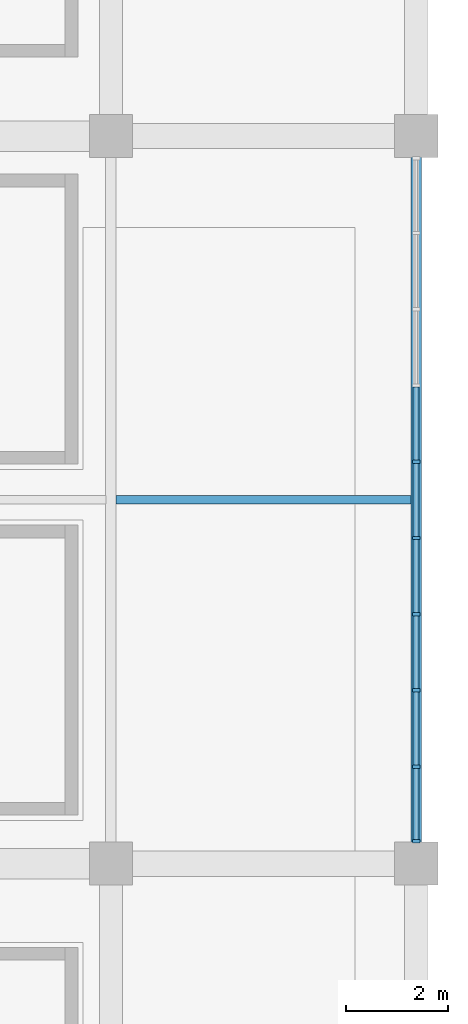
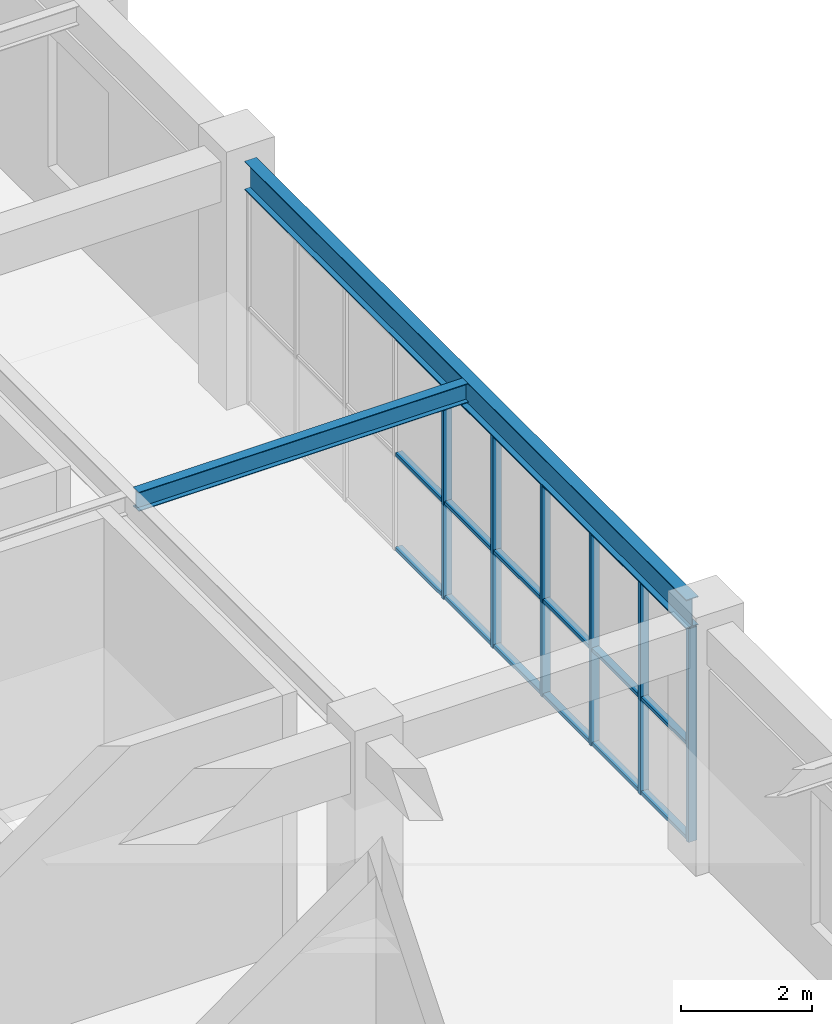
# One storey, part 52 of 112: 24 members, 2 beams, 1 element without a shape of its own.
"""IFC4 building model written with IfcOpenShell, lengths in metres."""

from ifc_helpers import new_model, si_unit, direction, frame, origin, origin_2d, place, context, subcontext, project, spatial, rectangle, i_section, extrude, material, material_profile, profile_set, type_object, element, aggregate, save


model = new_model("IFC4")

# Units and contexts
model_context = context("Model", 3, precision=1e-05, world=origin(), true_north=direction((0.0, 1.0)))
body_context = subcontext(model_context, "Body", "Model", "MODEL_VIEW")
ifc_project = project(units=[si_unit("LENGTHUNIT", "METRE"), si_unit("AREAUNIT", "SQUARE_METRE"), si_unit("VOLUMEUNIT", "CUBIC_METRE"), si_unit("PLANEANGLEUNIT", "RADIAN"), si_unit("MASSUNIT", "GRAM", prefix="KILO")], contexts=[model_context])

# Site, building, storey
site_placement = place(None, origin())
site = spatial("IfcSite", under=ifc_project, at=site_placement, CompositionType="ELEMENT")
building_placement = place(site_placement, origin())
building = spatial("IfcBuilding", under=site, at=building_placement, Name="Cuetzalor Civic Arena", CompositionType="ELEMENT")
storey_placement = place(building_placement, frame((0.0, 0.0, 11.39990234375)))
storey = spatial("IfcBuildingStorey", under=building, at=storey_placement, Name="L02", CompositionType="ELEMENT", Elevation=11.39990234375)

# Curtain wall, members
ifc_material_1 = material(Name="Anodised dark bronze aluminium and low-E solar glass", Category="aluminium")
curtain_wall_type = type_object("IfcCurtainWallType", Name="UnitisedCW_13500x4000", PredefinedType="USERDEFINED", material=ifc_material_1)
curtain_wall_placement = place(storey_placement, origin())
curtain_wall = element("IfcCurtainWall", 1, at=curtain_wall_placement, inside=storey, type_object=curtain_wall_type, Name="V4E Suite Viewing Curtain Wall L02-140", ObjectType="UNITISED CURTAIN WALL", PredefinedType="USERDEFINED")
ifc_material_2 = material(Name="Anodised dark bronze aluminium", Category="aluminium")
ifc_material_profile_1 = material_profile(ifc_material_2, rectangle(XDim=0.06494140625, YDim=0.14990234375, at=origin_2d()), Name="ALU MULLION 65x150")
ifc_profile_set_1 = profile_set([ifc_material_profile_1], Name="Anodised dark bronze aluminium")
member_type_1 = type_object("IfcMemberType", Name="CurtainWallMullion_60x150", PredefinedType="MULLION", material=ifc_profile_set_1)
member_1_placement = place(storey_placement, frame((82.0, -40.40087890625, 0.0), z_axis=(0.0, 0.0, 1.0), x_axis=(0.0, -1.0, 0.0)))
member_1 = element("IfcMember", 2, at=member_1_placement, type_object=member_type_1, Name="CW-40 mullion 5", PredefinedType="MULLION", context=body_context, shape_type="SweptSolid", body=[
    extrude(rectangle(XDim=0.06494140625, YDim=0.14990234375, at=origin_2d()), origin(), (0.0, 0.0, 1.0), 3.97705078125),
])
member_2_placement = place(storey_placement, frame((82.0, -41.899169921875, 0.0), z_axis=(0.0, 0.0, 1.0), x_axis=(0.0, -1.0, 0.0)))
member_2 = element("IfcMember", 3, at=member_2_placement, type_object=member_type_1, Name="CW-40 mullion 6", PredefinedType="MULLION", context=body_context, shape_type="SweptSolid", body=[
    extrude(rectangle(XDim=0.06494140625, YDim=0.14990234375, at=origin_2d()), origin(), (0.0, 0.0, 1.0), 3.97705078125),
])
member_3_placement = place(storey_placement, frame((82.0, -43.397705078125, 0.0), z_axis=(0.0, 0.0, 1.0), x_axis=(0.0, -1.0, 0.0)))
member_3 = element("IfcMember", 4, at=member_3_placement, type_object=member_type_1, Name="CW-40 mullion 7", PredefinedType="MULLION", context=body_context, shape_type="SweptSolid", body=[
    extrude(rectangle(XDim=0.06494140625, YDim=0.14990234375, at=origin_2d()), origin(), (0.0, 0.0, 1.0), 3.97705078125),
])
member_4_placement = place(storey_placement, frame((82.0, -44.89599609375, 0.0), z_axis=(0.0, 0.0, 1.0), x_axis=(0.0, -1.0, 0.0)))
member_4 = element("IfcMember", 5, at=member_4_placement, type_object=member_type_1, Name="CW-40 mullion 8", PredefinedType="MULLION", context=body_context, shape_type="SweptSolid", body=[
    extrude(rectangle(XDim=0.06494140625, YDim=0.14990234375, at=origin_2d()), origin(), (0.0, 0.0, 1.0), 3.97705078125),
])
member_5_placement = place(storey_placement, frame((82.0, -46.39453125, 0.0), z_axis=(0.0, 0.0, 1.0), x_axis=(0.0, -1.0, 0.0)))
member_5 = element("IfcMember", 6, at=member_5_placement, type_object=member_type_1, Name="CW-40 mullion 9", PredefinedType="MULLION", context=body_context, shape_type="SweptSolid", body=[
    extrude(rectangle(XDim=0.06494140625, YDim=0.14990234375, at=origin_2d()), origin(), (0.0, 0.0, 1.0), 3.97705078125),
])
member_6_placement = place(storey_placement, frame((82.0, -47.860595703125, 0.0), z_axis=(0.0, 0.0, 1.0), x_axis=(0.0, -1.0, 0.0)))
member_6 = element("IfcMember", 7, at=member_6_placement, type_object=member_type_1, Name="CW-40 mullion 10", PredefinedType="MULLION", context=body_context, shape_type="SweptSolid", body=[
    extrude(rectangle(XDim=0.06494140625, YDim=0.14990234375, at=origin_2d()), origin(), (0.0, 0.0, 1.0), 3.97705078125),
])
ifc_material_3 = material(Name="Anodised dark bronze aluminium", Category="aluminium")
ifc_material_profile_2 = material_profile(ifc_material_3, rectangle(XDim=0.1201171875, YDim=0.06494140625, at=origin_2d()), Name="ALU TRANSOM 65x120")
ifc_profile_set_2 = profile_set([ifc_material_profile_2], Name="Anodised dark bronze aluminium")
member_type_2 = type_object("IfcMemberType", Name="CurtainWallTransom_60x120", PredefinedType="USERDEFINED", material=ifc_profile_set_2)
member_7_placement = place(storey_placement, frame((82.0, -38.934814453125, 0.03271484375), z_axis=(0.0, -1.0, 0.0), x_axis=(1.0, 0.0, 0.0)))
member_7 = element("IfcMember", 8, at=member_7_placement, type_object=member_type_2, Name="CW-40 transom 4.1", ObjectType="TRANSOM", PredefinedType="USERDEFINED", context=body_context, shape_type="SweptSolid", body=[
    extrude(rectangle(XDim=0.1201171875, YDim=0.06494140625, at=origin_2d()), origin(), (0.0, 0.0, 1.0), 1.433349609375),
])
member_8_placement = place(storey_placement, frame((82.0, -38.934814453125, 1.7900390625), z_axis=(0.0, -1.0, 0.0), x_axis=(1.0, 0.0, 0.0)))
member_8 = element("IfcMember", 9, at=member_8_placement, type_object=member_type_2, Name="CW-40 transom 4.2", ObjectType="TRANSOM", PredefinedType="USERDEFINED", context=body_context, shape_type="SweptSolid", body=[
    extrude(rectangle(XDim=0.1201171875, YDim=0.06494140625, at=origin_2d()), origin(), (0.0, 0.0, 1.0), 1.433349609375),
])
member_9_placement = place(storey_placement, frame((82.0, -38.934814453125, 3.944580078125), z_axis=(0.0, -1.0, 0.0), x_axis=(1.0, 0.0, 0.0)))
member_9 = element("IfcMember", 10, at=member_9_placement, type_object=member_type_2, Name="CW-40 transom 4.3", ObjectType="TRANSOM", PredefinedType="USERDEFINED", context=body_context, shape_type="SweptSolid", body=[
    extrude(rectangle(XDim=0.1201171875, YDim=0.06494140625, at=origin_2d()), origin(), (0.0, 0.0, 1.0), 1.433349609375),
])
member_10_placement = place(storey_placement, frame((82.0, -40.433349609375, 0.03271484375), z_axis=(0.0, -1.0, 0.0), x_axis=(1.0, 0.0, 0.0)))
member_10 = element("IfcMember", 11, at=member_10_placement, type_object=member_type_2, Name="CW-40 transom 5.1", ObjectType="TRANSOM", PredefinedType="USERDEFINED", context=body_context, shape_type="SweptSolid", body=[
    extrude(rectangle(XDim=0.1201171875, YDim=0.06494140625, at=origin_2d()), origin(), (0.0, 0.0, 1.0), 1.433349609375),
])
member_11_placement = place(storey_placement, frame((82.0, -40.433349609375, 1.7900390625), z_axis=(0.0, -1.0, 0.0), x_axis=(1.0, 0.0, 0.0)))
member_11 = element("IfcMember", 12, at=member_11_placement, type_object=member_type_2, Name="CW-40 transom 5.2", ObjectType="TRANSOM", PredefinedType="USERDEFINED", context=body_context, shape_type="SweptSolid", body=[
    extrude(rectangle(XDim=0.1201171875, YDim=0.06494140625, at=origin_2d()), origin(), (0.0, 0.0, 1.0), 1.433349609375),
])
member_12_placement = place(storey_placement, frame((82.0, -40.433349609375, 3.944580078125), z_axis=(0.0, -1.0, 0.0), x_axis=(1.0, 0.0, 0.0)))
member_12 = element("IfcMember", 13, at=member_12_placement, type_object=member_type_2, Name="CW-40 transom 5.3", ObjectType="TRANSOM", PredefinedType="USERDEFINED", context=body_context, shape_type="SweptSolid", body=[
    extrude(rectangle(XDim=0.1201171875, YDim=0.06494140625, at=origin_2d()), origin(), (0.0, 0.0, 1.0), 1.433349609375),
])
member_13_placement = place(storey_placement, frame((82.0, -41.931640625, 0.03271484375), z_axis=(0.0, -1.0, 0.0), x_axis=(1.0, 0.0, 0.0)))
member_13 = element("IfcMember", 14, at=member_13_placement, type_object=member_type_2, Name="CW-40 transom 6.1", ObjectType="TRANSOM", PredefinedType="USERDEFINED", context=body_context, shape_type="SweptSolid", body=[
    extrude(rectangle(XDim=0.1201171875, YDim=0.06494140625, at=origin_2d()), origin(), (0.0, 0.0, 1.0), 1.43359375),
])
member_14_placement = place(storey_placement, frame((82.0, -41.931640625, 1.7900390625), z_axis=(0.0, -1.0, 0.0), x_axis=(1.0, 0.0, 0.0)))
member_14 = element("IfcMember", 15, at=member_14_placement, type_object=member_type_2, Name="CW-40 transom 6.2", ObjectType="TRANSOM", PredefinedType="USERDEFINED", context=body_context, shape_type="SweptSolid", body=[
    extrude(rectangle(XDim=0.1201171875, YDim=0.06494140625, at=origin_2d()), origin(), (0.0, 0.0, 1.0), 1.43359375),
])
member_15_placement = place(storey_placement, frame((82.0, -41.931640625, 3.944580078125), z_axis=(0.0, -1.0, 0.0), x_axis=(1.0, 0.0, 0.0)))
member_15 = element("IfcMember", 16, at=member_15_placement, type_object=member_type_2, Name="CW-40 transom 6.3", ObjectType="TRANSOM", PredefinedType="USERDEFINED", context=body_context, shape_type="SweptSolid", body=[
    extrude(rectangle(XDim=0.1201171875, YDim=0.06494140625, at=origin_2d()), origin(), (0.0, 0.0, 1.0), 1.43359375),
])
member_16_placement = place(storey_placement, frame((82.0, -43.43017578125, 0.03271484375), z_axis=(0.0, -1.0, 0.0), x_axis=(1.0, 0.0, 0.0)))
member_16 = element("IfcMember", 17, at=member_16_placement, type_object=member_type_2, Name="CW-40 transom 7.1", ObjectType="TRANSOM", PredefinedType="USERDEFINED", context=body_context, shape_type="SweptSolid", body=[
    extrude(rectangle(XDim=0.1201171875, YDim=0.06494140625, at=origin_2d()), origin(), (0.0, 0.0, 1.0), 1.433349609375),
])
member_17_placement = place(storey_placement, frame((82.0, -43.43017578125, 1.7900390625), z_axis=(0.0, -1.0, 0.0), x_axis=(1.0, 0.0, 0.0)))
member_17 = element("IfcMember", 18, at=member_17_placement, type_object=member_type_2, Name="CW-40 transom 7.2", ObjectType="TRANSOM", PredefinedType="USERDEFINED", context=body_context, shape_type="SweptSolid", body=[
    extrude(rectangle(XDim=0.1201171875, YDim=0.06494140625, at=origin_2d()), origin(), (0.0, 0.0, 1.0), 1.433349609375),
])
member_18_placement = place(storey_placement, frame((82.0, -43.43017578125, 3.944580078125), z_axis=(0.0, -1.0, 0.0), x_axis=(1.0, 0.0, 0.0)))
member_18 = element("IfcMember", 19, at=member_18_placement, type_object=member_type_2, Name="CW-40 transom 7.3", ObjectType="TRANSOM", PredefinedType="USERDEFINED", context=body_context, shape_type="SweptSolid", body=[
    extrude(rectangle(XDim=0.1201171875, YDim=0.06494140625, at=origin_2d()), origin(), (0.0, 0.0, 1.0), 1.433349609375),
])
member_19_placement = place(storey_placement, frame((82.0, -44.9287109375, 0.03271484375), z_axis=(0.0, -1.0, 0.0), x_axis=(1.0, 0.0, 0.0)))
member_19 = element("IfcMember", 20, at=member_19_placement, type_object=member_type_2, Name="CW-40 transom 8.1", ObjectType="TRANSOM", PredefinedType="USERDEFINED", context=body_context, shape_type="SweptSolid", body=[
    extrude(rectangle(XDim=0.1201171875, YDim=0.06494140625, at=origin_2d()), origin(), (0.0, 0.0, 1.0), 1.433349609375),
])
member_20_placement = place(storey_placement, frame((82.0, -44.9287109375, 1.7900390625), z_axis=(0.0, -1.0, 0.0), x_axis=(1.0, 0.0, 0.0)))
member_20 = element("IfcMember", 21, at=member_20_placement, type_object=member_type_2, Name="CW-40 transom 8.2", ObjectType="TRANSOM", PredefinedType="USERDEFINED", context=body_context, shape_type="SweptSolid", body=[
    extrude(rectangle(XDim=0.1201171875, YDim=0.06494140625, at=origin_2d()), origin(), (0.0, 0.0, 1.0), 1.433349609375),
])
member_21_placement = place(storey_placement, frame((82.0, -44.9287109375, 3.944580078125), z_axis=(0.0, -1.0, 0.0), x_axis=(1.0, 0.0, 0.0)))
member_21 = element("IfcMember", 22, at=member_21_placement, type_object=member_type_2, Name="CW-40 transom 8.3", ObjectType="TRANSOM", PredefinedType="USERDEFINED", context=body_context, shape_type="SweptSolid", body=[
    extrude(rectangle(XDim=0.1201171875, YDim=0.06494140625, at=origin_2d()), origin(), (0.0, 0.0, 1.0), 1.433349609375),
])
member_22_placement = place(storey_placement, frame((82.0, -46.427001953125, 0.03271484375), z_axis=(0.0, -1.0, 0.0), x_axis=(1.0, 0.0, 0.0)))
member_22 = element("IfcMember", 23, at=member_22_placement, type_object=member_type_2, Name="CW-40 transom 9.1", ObjectType="TRANSOM", PredefinedType="USERDEFINED", context=body_context, shape_type="SweptSolid", body=[
    extrude(rectangle(XDim=0.1201171875, YDim=0.06494140625, at=origin_2d()), origin(), (0.0, 0.0, 1.0), 1.40087890625),
])
member_23_placement = place(storey_placement, frame((82.0, -46.427001953125, 1.7900390625), z_axis=(0.0, -1.0, 0.0), x_axis=(1.0, 0.0, 0.0)))
member_23 = element("IfcMember", 24, at=member_23_placement, type_object=member_type_2, Name="CW-40 transom 9.2", ObjectType="TRANSOM", PredefinedType="USERDEFINED", context=body_context, shape_type="SweptSolid", body=[
    extrude(rectangle(XDim=0.1201171875, YDim=0.06494140625, at=origin_2d()), origin(), (0.0, 0.0, 1.0), 1.40087890625),
])
member_24_placement = place(storey_placement, frame((82.0, -46.427001953125, 3.944580078125), z_axis=(0.0, -1.0, 0.0), x_axis=(1.0, 0.0, 0.0)))
member_24 = element("IfcMember", 25, at=member_24_placement, type_object=member_type_2, Name="CW-40 transom 9.3", ObjectType="TRANSOM", PredefinedType="USERDEFINED", context=body_context, shape_type="SweptSolid", body=[
    extrude(rectangle(XDim=0.1201171875, YDim=0.06494140625, at=origin_2d()), origin(), (0.0, 0.0, 1.0), 1.40087890625),
])
aggregate(curtain_wall, [member_1, member_2, member_3, member_4, member_5, member_6, member_7, member_8, member_9, member_10, member_11, member_12, member_13, member_14, member_15, member_16, member_17, member_18, member_19, member_20, member_21, member_22, member_23, member_24])

# Beams
ifc_material_4 = material(Name="Steel S355", Category="steel")
ifc_material_profile_3 = material_profile(ifc_material_4, i_section(OverallWidth=0.1708984375, OverallDepth=0.35498046875, WebThickness=0.007080078125, FlangeThickness=0.01171875, at=origin_2d()), Name="W360x51")
ifc_profile_set_3 = profile_set([ifc_material_profile_3], Name="Steel S355")
beam_type_1 = type_object("IfcBeamType", Name="SecondaryFloorJoist_W360", PredefinedType="JOIST", material=ifc_profile_set_3)
beam_1_placement = place(storey_placement, frame((76.096435546875, -41.14990234375, 4.342529296875), z_axis=(1.0, 0.0, 0.0), x_axis=(0.0, 1.0, 0.0)))
element("IfcBeam", 26, at=beam_1_placement, inside=storey, type_object=beam_type_1, Name="Secondary Floor Joist V4E-L02-0236", PredefinedType="JOIST", context=body_context, shape_type="SweptSolid", body=[
    extrude(i_section(OverallWidth=0.1708984375, OverallDepth=0.35498046875, WebThickness=0.007080078125, FlangeThickness=0.01171875, at=origin_2d()), origin(), (0.0, 0.0, 1.0), 5.80712890625),
])
ifc_material_5 = material(Name="Steel S355", Category="steel")
ifc_material_profile_4 = material_profile(ifc_material_5, i_section(OverallWidth=0.208984375, OverallDepth=0.532958984375, WebThickness=0.01025390625, FlangeThickness=0.015625, at=origin_2d()), Name="W530x92")
ifc_profile_set_4 = profile_set([ifc_material_profile_4], Name="Steel S355")
beam_type_2 = type_object("IfcBeamType", Name="SteelCollarGirder_W530", PredefinedType="BEAM", material=ifc_profile_set_4)
beam_2_placement = place(storey_placement, frame((82.0, -47.885009765625, 4.253662109375), z_axis=(0.0, 1.0, 0.0), x_axis=(-1.0, 0.0, 0.0)))
element("IfcBeam", 27, at=beam_2_placement, inside=storey, type_object=beam_type_2, Name="Frame Girder V4E-L02-Y0769", PredefinedType="BEAM", context=body_context, shape_type="SweptSolid", body=[
    extrude(i_section(OverallWidth=0.208984375, OverallDepth=0.532958984375, WebThickness=0.01025390625, FlangeThickness=0.015625, at=origin_2d()), origin(), (0.0, 0.0, 1.0), 13.469970703125),
])

save(model, "model.ifc")
